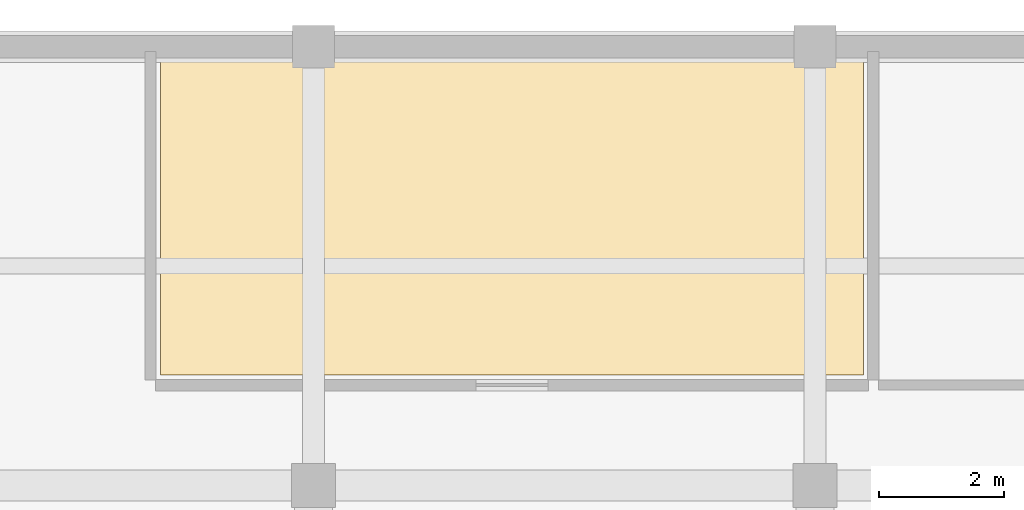
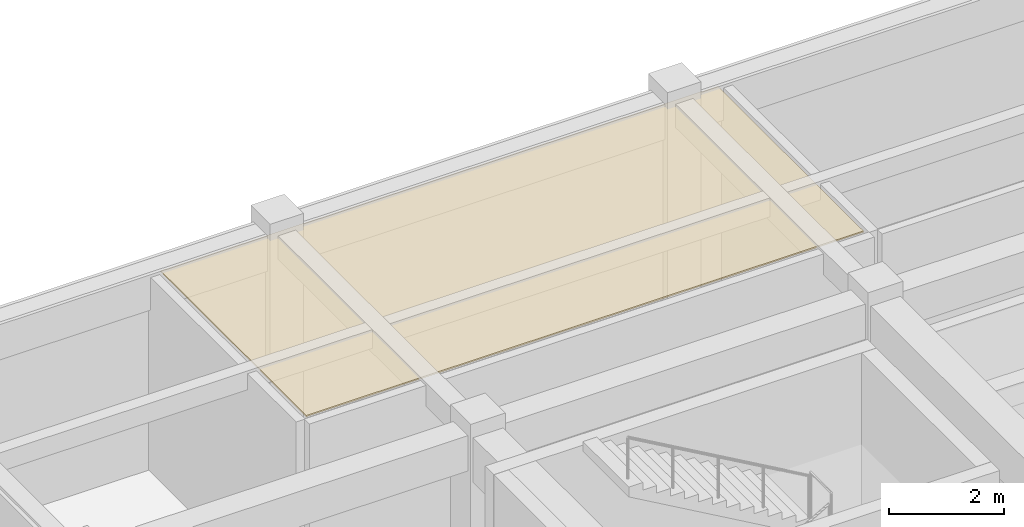
# One storey, part 72 of 72: 1 covering.
"""IFC4 building model written with IfcOpenShell, lengths in metres."""

from ifc_helpers import new_model, si_unit, direction, frame, origin, place, context, subcontext, project, spatial, polyline, outline, extrude, material, layer, layer_set, type_object, element, save


model = new_model("IFC4")

# Units and contexts
model_context = context("Model", 3, precision=1e-05, world=origin(), true_north=direction((0.0, 1.0)))
body_context = subcontext(model_context, "Body", "Model", "MODEL_VIEW")
ifc_project = project(units=[si_unit("LENGTHUNIT", "METRE"), si_unit("AREAUNIT", "SQUARE_METRE"), si_unit("VOLUMEUNIT", "CUBIC_METRE"), si_unit("PLANEANGLEUNIT", "RADIAN"), si_unit("MASSUNIT", "GRAM", prefix="KILO")], contexts=[model_context])

# Site, building, storey
site_placement = place(None, origin())
site = spatial("IfcSite", under=ifc_project, at=site_placement, CompositionType="ELEMENT")
building_placement = place(site_placement, origin())
building = spatial("IfcBuilding", under=site, at=building_placement, Name="Naurynzar Civic Courthouse", CompositionType="ELEMENT")
storey_placement = place(building_placement, frame((0.0, 0.0, 9.89990234375)))
storey = spatial("IfcBuildingStorey", under=building, at=storey_placement, Name="L03", CompositionType="ELEMENT", Elevation=9.89990234375)

# Covering
ifc_material = material(Name="Mineral Fibre Acoustic Ceiling")
ifc_layer = layer(ifc_material, 0.030029296875)
ifc_layer_set = layer_set([ifc_layer], Name="CEIL-MINERAL-30")
covering_type = type_object("IfcCoveringType", Name="CEIL-MINERAL-30", PredefinedType="CEILING", material=ifc_layer_set)
covering_placement = place(storey_placement, frame((0.0, 0.0, 4.114990234375)))
element("IfcCovering", 1, at=covering_placement, inside=storey, type_object=covering_type, Name="Acoustic suspended ceiling Jury Room L03-N", PredefinedType="CEILING", context=body_context, shape_type="SweptSolid", body=[
    extrude(outline(polyline([(135.56005859375, 66.760009765625), (135.56005859375, 71.840087890625), (146.77294921875, 71.840087890625), (146.77294921875, 66.760009765625), (135.56005859375, 66.760009765625)])), origin(), (0.0, 0.0, 1.0), 0.030029296875),
])

save(model, "model.ifc")
